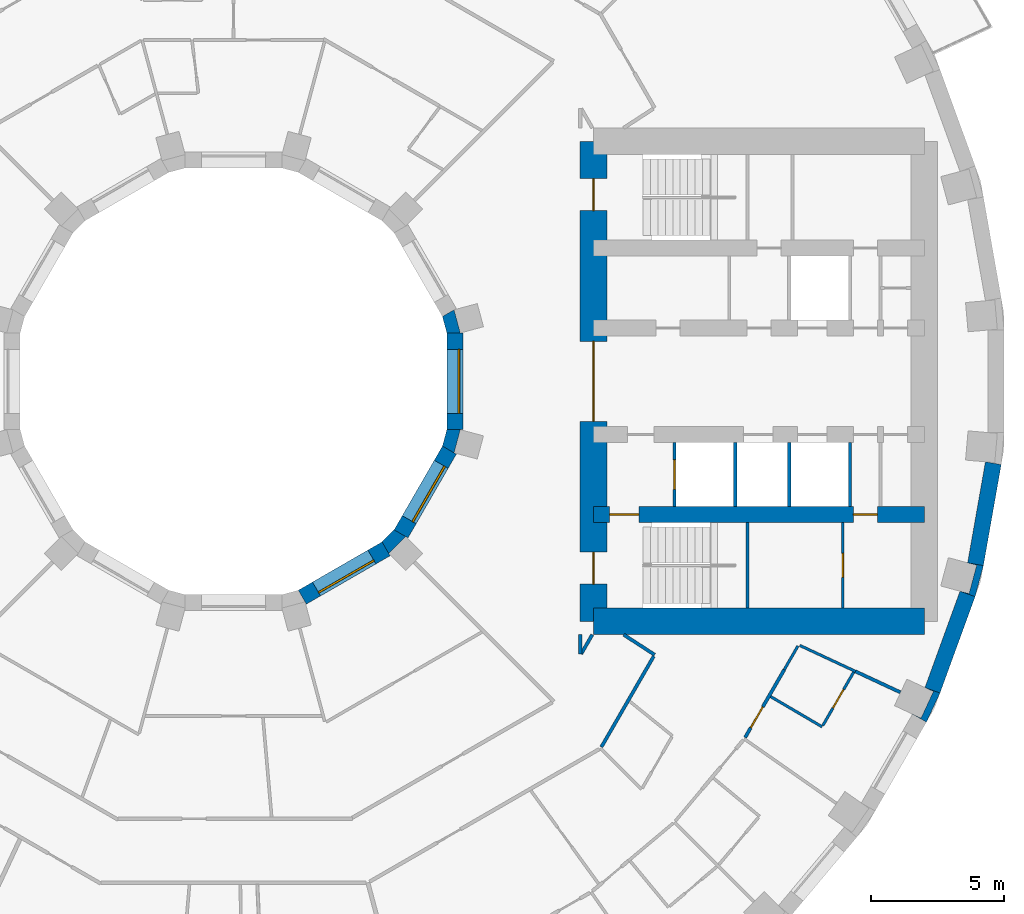
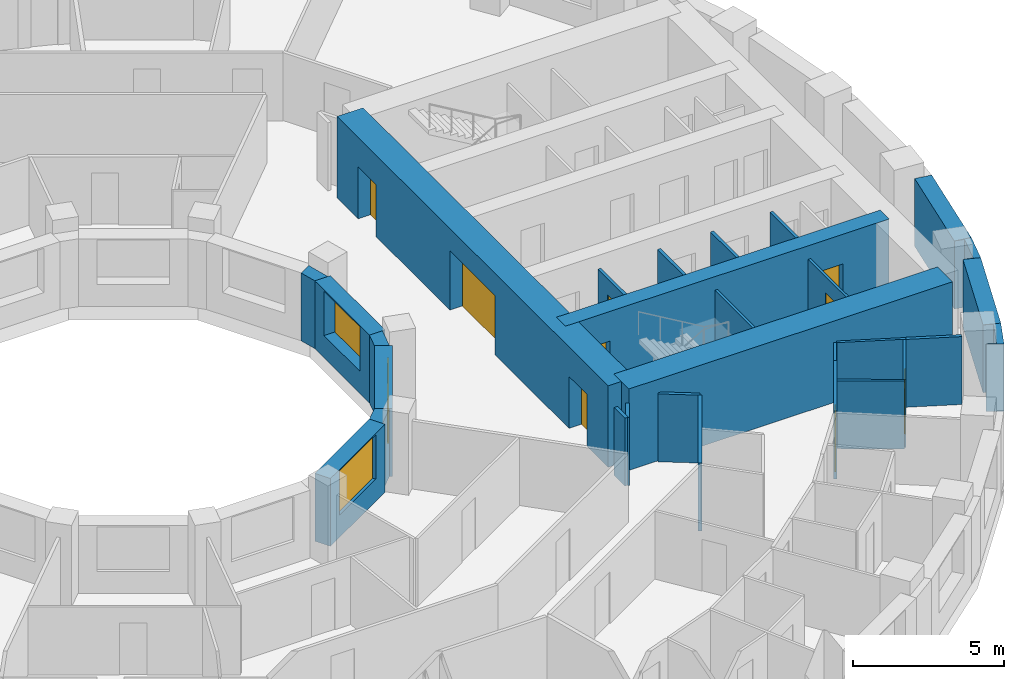
# One storey, part 8 of 15: 29 walls, 9 doors, 3 windows, 12 openings.
"""IFC4 building model written with IfcOpenShell, lengths in metres."""

from ifc_helpers import new_model, si_unit, direction, frame, frame_2d, origin, place, context, subcontext, project, spatial, polyline, rectangle, outline, extrude, material, layer, layer_set, type_object, element, fill, save


model = new_model("IFC4")

# Units and contexts
model_context = context("Model", 3, precision=1e-05, world=origin(), true_north=direction((0.0, 1.0)))
body_context = subcontext(model_context, "Body", "Model", "MODEL_VIEW")
ifc_project = project(units=[si_unit("LENGTHUNIT", "METRE"), si_unit("AREAUNIT", "SQUARE_METRE"), si_unit("VOLUMEUNIT", "CUBIC_METRE"), si_unit("PLANEANGLEUNIT", "RADIAN"), si_unit("MASSUNIT", "GRAM", prefix="KILO")], contexts=[model_context])

# Site, building, storey
site_placement = place(None, origin())
site = spatial("IfcSite", under=ifc_project, at=site_placement, CompositionType="ELEMENT")
building_placement = place(site_placement, origin())
building = spatial("IfcBuilding", under=site, at=building_placement, Name="Saqina Gate Tower", CompositionType="ELEMENT")
storey_placement = place(building_placement, frame((0.0, 0.0, 65.89990234375)))
storey = spatial("IfcBuildingStorey", under=building, at=storey_placement, Name="L18", CompositionType="ELEMENT", Elevation=65.89990234375)

# Walls
ifc_material_1 = material(Name="Brick masonry (red)", Category="masonry")
wall_type_1 = type_object("IfcWallType", Name="BRICK PIER COPING RED", PredefinedType="SOLIDWALL", material=ifc_material_1)
wall_1_placement = place(storey_placement, origin())
element("IfcWall", 1, at=wall_1_placement, inside=storey, type_object=wall_type_1, Name="Pier cap L18 column 34", PredefinedType="SOLIDWALL", context=body_context, shape_type="SweptSolid", body=[
    extrude(outline(polyline([(26.48974609375, -11.687744140625), (25.92578125, -11.482666015625), (26.243408203125, -11.630615234375), (25.778564453125, -12.627685546875), (25.4609375, -12.4794921875), (25.980712890625, -12.779541015625), (26.48974609375, -11.687744140625)])), origin(), (0.0, 0.0, 1.0), 2.75),
])
wall_2_placement = place(storey_placement, origin())
element("IfcWall", 2, at=wall_2_placement, inside=storey, type_object=wall_type_1, Name="Pier cap L18 column 35", PredefinedType="SOLIDWALL", context=body_context, shape_type="SweptSolid", body=[
    extrude(outline(polyline([(28.11669921875, -6.910400390625), (27.52587890625, -6.80615234375), (27.864501953125, -6.896728515625), (27.57958984375, -7.95947265625), (27.2412109375, -7.86865234375), (27.80517578125, -8.073974609375), (28.11669921875, -6.910400390625)])), origin(), (0.0, 0.0, 1.0), 2.75),
])

# Wall, opening, door
ifc_material_2 = material(Name="Gypsum board on steel studs", Category="steel")
ifc_layer_1 = layer(ifc_material_2, 0.10009765625)
ifc_layer_set_1 = layer_set([ifc_layer_1], Name="CORE PARTITION")
wall_type_2 = type_object("IfcWallType", Name="CORE PARTITION", PredefinedType="PARTITIONING", material=ifc_layer_set_1)
wall_3_placement = place(storey_placement, frame((22.846435546875, -8.5, 0.0), z_axis=(0.0, 0.0, 1.0), x_axis=(0.0, 1.0, 0.0)))
wall_3 = element("IfcWall", 3, at=wall_3_placement, inside=storey, type_object=wall_type_2, Name="L18-CP-E14", PredefinedType="PARTITIONING", context=body_context, shape_type="SweptSolid", body=[
    extrude(rectangle(XDim=3.199951171875, YDim=0.10009765625, at=frame_2d((1.60009765625, 0.0))), origin(), (0.0, 0.0, 1.0), 2.75),
])
opening_1_placement = place(wall_3_placement, frame((1.14990234375, 0.0, 0.0)))
opening_1 = element("IfcOpeningElement", 4, at=opening_1_placement, cuts=wall_3, Name="Opening G05-D100", PredefinedType="OPENING", context=body_context, shape_type="SweptSolid", body=[
    extrude(rectangle(XDim=0.89990234375, YDim=2.10009765625, at=frame_2d((0.449951171875, 1.050048828125))), frame((0.0, 0.06201171875, 0.0), z_axis=(0.0, -1.0, 0.0), x_axis=(1.0, 0.0, 0.0)), (0.0, 0.0, 1.0), 0.1240234375),
])
ifc_material_3 = material(Name="Steel-framed fire door leaf, EI 60", Category="steel")
door_type_1 = type_object("IfcDoorType", Name="SERVICE ROOM DOOR 900", OperationType="SINGLE_SWING_LEFT", PredefinedType="DOOR", material=ifc_material_3)
door_1_placement = place(opening_1_placement, origin())
door_1 = element("IfcDoor", 5, at=door_1_placement, inside=storey, type_object=door_type_1, Name="L18-CD-E11", OperationType="SINGLE_SWING_LEFT", OverallHeight=2.10009765625, OverallWidth=0.89990234375, PredefinedType="DOOR", context=body_context, shape_type="SweptSolid", body=[
    extrude(rectangle(XDim=0.89990234375, YDim=2.10009765625, at=frame_2d((0.449951171875, 1.050048828125))), frame((0.0, 0.02490234375, 0.0), z_axis=(0.0, -1.0, 0.0), x_axis=(1.0, 0.0, 0.0)), (0.0, 0.0, 1.0), 0.050048828125),
])
fill(opening_1, door_1)

# Walls
ifc_material_4 = material(Name="Glazed ceramic tile", Category="ceramic")
ifc_layer_2 = layer(ifc_material_4, 0.60009765625)
ifc_layer_set_2 = layer_set([ifc_layer_2], Name="FW-TILE")
wall_type_3 = type_object("IfcWallType", Name="FW-TILE", PredefinedType="SOLIDWALL", material=ifc_layer_set_2)
wall_4_placement = place(storey_placement, frame((27.8212890625, -6.858154296875, 0.0), z_axis=(0.0, 0.0, 1.0), x_axis=(0.173687553279, 0.984800809218, 0.0)))
element("IfcWall", 6, at=wall_4_placement, inside=storey, type_object=wall_type_3, Name="Facade wall L18 facet 35", PredefinedType="SOLIDWALL", context=body_context, shape_type="SweptSolid", body=[
    extrude(rectangle(XDim=3.845703125, YDim=0.60009765625, at=frame_2d((1.9228515625, 0.0))), origin(), (0.0, 0.0, 1.0), 2.75),
])
ifc_material_5 = material(Name="Glazed ceramic tile (white)", Category="ceramic")
ifc_layer_3 = layer(ifc_material_5, 0.60009765625)
ifc_layer_set_3 = layer_set([ifc_layer_3], Name="FW-TILE-WH")
wall_type_4 = type_object("IfcWallType", Name="FW-TILE-WH", PredefinedType="SOLIDWALL", material=ifc_layer_set_3)
wall_5_placement = place(storey_placement, frame((26.207763671875, -11.585205078125, 0.0), z_axis=(0.0, 0.0, 1.0), x_axis=(0.342028474173, 0.939689588564, 0.0)))
element("IfcWall", 7, at=wall_5_placement, inside=storey, type_object=wall_type_4, Name="Facade wall L18 facet 34", PredefinedType="SOLIDWALL", context=body_context, shape_type="SweptSolid", body=[
    extrude(rectangle(XDim=3.845947265625, YDim=0.60009765625, at=frame_2d((1.9228515625, 0.0))), origin(), (0.0, 0.0, 1.0), 2.75),
])

# Wall, opening, window
ifc_material_6 = material(Name="Glazed ceramic tile", Category="ceramic")
ifc_layer_4 = layer(ifc_material_6, 0.60009765625)
ifc_layer_set_4 = layer_set([ifc_layer_4], Name="IW-TILE")
wall_type_5 = type_object("IfcWallType", Name="IW-TILE", PredefinedType="SOLIDWALL", material=ifc_layer_set_4)
wall_6_placement = place(storey_placement, frame((2.580322265625, -8.09423828125, 0.0), z_axis=(0.0, 0.0, 1.0), x_axis=(0.866029693906, 0.499992569217, 0.0)))
wall_6 = element("IfcWall", 8, at=wall_6_placement, inside=storey, type_object=wall_type_5, Name="Well wall L18 facet 10", PredefinedType="SOLIDWALL", context=body_context, shape_type="SweptSolid", body=[
    extrude(rectangle(XDim=3.625, YDim=0.60009765625, at=frame_2d((1.8125, 0.0))), origin(), (0.0, 0.0, 1.0), 2.75),
])
opening_2_placement = place(wall_6_placement, frame((0.612548828125, 0.0, 0.89990234375)))
opening_2 = element("IfcOpeningElement", 9, at=opening_2_placement, cuts=wall_6, Name="Opening G05-W32", PredefinedType="OPENING", context=body_context, shape_type="SweptSolid", body=[
    extrude(rectangle(XDim=2.39990234375, YDim=1.800048828125, at=frame_2d((1.199951171875, 0.89990234375))), frame((0.0, 0.31201171875, 0.0), z_axis=(0.0, -1.0, 0.0), x_axis=(1.0, 0.0, 0.0)), (0.0, 0.0, 1.0), 0.6240234375),
])
ifc_material_7 = material(Name="Aluminium glazing", Category="aluminium")
window_type = type_object("IfcWindowType", Name="WN-W", PartitioningType="SINGLE_PANEL", PredefinedType="WINDOW", material=ifc_material_7)
window_1_placement = place(opening_2_placement, origin())
window_1 = element("IfcWindow", 10, at=window_1_placement, inside=storey, type_object=window_type, Name="Well window L18 facet 10", OverallHeight=1.800048828125, OverallWidth=2.39990234375, PartitioningType="SINGLE_PANEL", PredefinedType="WINDOW", context=body_context, shape_type="SweptSolid", body=[
    extrude(rectangle(XDim=2.39990234375, YDim=1.800048828125, at=frame_2d((1.199951171875, 0.89990234375))), frame((0.0, -0.119873046875, 0.0), z_axis=(0.0, -1.0, 0.0), x_axis=(1.0, 0.0, 0.0)), (0.0, 0.0, 1.0), 0.06005859375),
])
fill(opening_2, window_1)

wall_7_placement = place(storey_placement, frame((6.28173828125, -5.7197265625, 0.0), z_axis=(0.0, 0.0, 1.0), x_axis=(0.499992569217, 0.866029693906, 0.0)))
wall_7 = element("IfcWall", 11, at=wall_7_placement, inside=storey, type_object=wall_type_5, Name="Well wall L18 facet 11", PredefinedType="SOLIDWALL", context=body_context, shape_type="SweptSolid", body=[
    extrude(rectangle(XDim=3.625, YDim=0.60009765625, at=frame_2d((1.8125, 0.0))), origin(), (0.0, 0.0, 1.0), 2.75),
])
opening_3_placement = place(wall_7_placement, frame((0.612548828125, 0.0, 0.89990234375)))
opening_3 = element("IfcOpeningElement", 12, at=opening_3_placement, cuts=wall_7, Name="Opening G05-W33", PredefinedType="OPENING", context=body_context, shape_type="SweptSolid", body=[
    extrude(rectangle(XDim=2.39990234375, YDim=1.800048828125, at=frame_2d((1.199951171875, 0.89990234375))), frame((0.0, 0.31201171875, 0.0), z_axis=(0.0, -1.0, 0.0), x_axis=(1.0, 0.0, 0.0)), (0.0, 0.0, 1.0), 0.6240234375),
])
window_2_placement = place(opening_3_placement, origin())
window_2 = element("IfcWindow", 13, at=window_2_placement, inside=storey, type_object=window_type, Name="Well window L18 facet 11", OverallHeight=1.800048828125, OverallWidth=2.39990234375, PartitioningType="SINGLE_PANEL", PredefinedType="WINDOW", context=body_context, shape_type="SweptSolid", body=[
    extrude(rectangle(XDim=2.39990234375, YDim=1.800048828125, at=frame_2d((1.199951171875, 0.89990234375))), frame((0.0, -0.119873046875, 0.0), z_axis=(0.0, -1.0, 0.0), x_axis=(1.0, 0.0, 0.0)), (0.0, 0.0, 1.0), 0.06005859375),
])
fill(opening_3, window_2)

wall_8_placement = place(storey_placement, frame((8.300048828125, -1.8125, 0.0), z_axis=(0.0, 0.0, 1.0), x_axis=(0.0, 1.0, 0.0)))
wall_8 = element("IfcWall", 14, at=wall_8_placement, inside=storey, type_object=wall_type_5, Name="Well wall L18 facet 12", PredefinedType="SOLIDWALL", context=body_context, shape_type="SweptSolid", body=[
    extrude(rectangle(XDim=3.625, YDim=0.60009765625, at=frame_2d((1.8125, 0.0))), origin(), (0.0, 0.0, 1.0), 2.75),
])
opening_4_placement = place(wall_8_placement, frame((0.612548828125, 0.0, 0.89990234375)))
opening_4 = element("IfcOpeningElement", 15, at=opening_4_placement, cuts=wall_8, Name="Opening G05-W34", PredefinedType="OPENING", context=body_context, shape_type="SweptSolid", body=[
    extrude(rectangle(XDim=2.39990234375, YDim=1.800048828125, at=frame_2d((1.199951171875, 0.89990234375))), frame((0.0, 0.31201171875, 0.0), z_axis=(0.0, -1.0, 0.0), x_axis=(1.0, 0.0, 0.0)), (0.0, 0.0, 1.0), 0.6240234375),
])
window_3_placement = place(opening_4_placement, origin())
window_3 = element("IfcWindow", 16, at=window_3_placement, inside=storey, type_object=window_type, Name="Well window L18 facet 12", OverallHeight=1.800048828125, OverallWidth=2.39990234375, PartitioningType="SINGLE_PANEL", PredefinedType="WINDOW", context=body_context, shape_type="SweptSolid", body=[
    extrude(rectangle(XDim=2.39990234375, YDim=1.800048828125, at=frame_2d((1.199951171875, 0.89990234375))), frame((0.0, -0.119873046875, 0.0), z_axis=(0.0, -1.0, 0.0), x_axis=(1.0, 0.0, 0.0)), (0.0, 0.0, 1.0), 0.06005859375),
])
fill(opening_4, window_3)

# Walls
ifc_material_8 = material(Name="Gypsum board on steel studs, 100 mm", Category="steel")
ifc_layer_5 = layer(ifc_material_8, 0.10009765625)
ifc_layer_set_5 = layer_set([ifc_layer_5], Name="PARTITION 100")
wall_type_6 = type_object("IfcWallType", Name="PARTITION 100", PredefinedType="PARTITIONING", material=ifc_layer_set_5)
wall_9_placement = place(storey_placement, frame((20.139892578125, -11.821533203125, 0.0), z_axis=(0.0, 0.0, 1.0), x_axis=(0.862374352329, -0.506271149134, 0.0)))
element("IfcWall", 17, at=wall_9_placement, inside=storey, type_object=wall_type_6, Name="PARTITION PW3-42", PredefinedType="PARTITIONING", context=body_context, shape_type="SweptSolid", body=[
    extrude(rectangle(XDim=2.237060546875, YDim=0.10009765625, at=frame_2d((1.11865234375, 0.0))), origin(), (0.0, 0.0, 1.0), 2.75),
])
wall_10_placement = place(storey_placement, frame((21.232421875, -9.903076171875, 0.0), z_axis=(0.0, 0.0, 1.0), x_axis=(0.906274952778, -0.422688667896, 0.0)))
element("IfcWall", 18, at=wall_10_placement, inside=storey, type_object=wall_type_6, Name="PARTITION PW3-49", PredefinedType="PARTITIONING", context=body_context, shape_type="SweptSolid", body=[
    extrude(rectangle(XDim=2.30908203125, YDim=0.10009765625, at=frame_2d((1.154541015625, 0.0))), origin(), (0.0, 0.0, 1.0), 2.75),
])

# Wall, opening, door
wall_11_placement = place(storey_placement, frame((22.093994140625, -12.91064453125, 0.0), z_axis=(0.0, 0.0, 1.0), x_axis=(0.500223263977, 0.865896463889, 0.0)))
wall_11 = element("IfcWall", 19, at=wall_11_placement, inside=storey, type_object=wall_type_6, Name="PARTITION PW3-96", PredefinedType="PARTITIONING", context=body_context, shape_type="SweptSolid", body=[
    extrude(rectangle(XDim=2.32080078125, YDim=0.10009765625, at=frame_2d((1.160400390625, 0.0))), origin(), (0.0, 0.0, 1.0), 2.75),
])
opening_5_placement = place(wall_11_placement, frame((0.761474609375, 0.0, 0.0)))
opening_5 = element("IfcOpeningElement", 20, at=opening_5_placement, cuts=wall_11, Name="Opening G05-D68", PredefinedType="OPENING", context=body_context, shape_type="SweptSolid", body=[
    extrude(rectangle(XDim=0.800048828125, YDim=2.10009765625, at=frame_2d((0.39990234375, 1.050048828125))), frame((0.0, 0.06201171875, 0.0), z_axis=(0.0, -1.0, 0.0), x_axis=(1.0, 0.0, 0.0)), (0.0, 0.0, 1.0), 0.1240234375),
])
ifc_material_9 = material(Name="Timber door leaf, 800 mm", Category="wood")
door_type_2 = type_object("IfcDoorType", Name="DOOR 800 TIMBER", OperationType="SINGLE_SWING_LEFT", PredefinedType="DOOR", material=ifc_material_9)
door_2_placement = place(opening_5_placement, frame((0.800048828125, 0.0, 0.0), z_axis=(0.0, 0.0, 1.0), x_axis=(-1.0, 0.0, 0.0)))
door_2 = element("IfcDoor", 21, at=door_2_placement, inside=storey, type_object=door_type_2, Name="DOOR G05-D68", OperationType="SINGLE_SWING_LEFT", OverallHeight=2.10009765625, OverallWidth=0.800048828125, PredefinedType="DOOR", context=body_context, shape_type="SweptSolid", body=[
    extrude(rectangle(XDim=0.800048828125, YDim=2.10009765625, at=frame_2d((0.39990234375, 1.050048828125))), frame((0.0, 0.02490234375, 0.0), z_axis=(0.0, -1.0, 0.0), x_axis=(1.0, 0.0, 0.0)), (0.0, 0.0, 1.0), 0.050048828125),
])
fill(opening_5, door_2)

# Walls
wall_12_placement = place(storey_placement, frame((20.646484375, -10.818603515625, 0.0), z_axis=(0.0, 0.0, 1.0), x_axis=(0.499797427156, 0.866142327685, 0.0)))
element("IfcWall", 22, at=wall_12_placement, inside=storey, type_object=wall_type_6, Name="PARTITION PW3-97", PredefinedType="PARTITIONING", context=body_context, shape_type="SweptSolid", body=[
    extrude(rectangle(XDim=1.03369140625, YDim=0.10009765625, at=frame_2d((0.516845703125, 0.0))), origin(), (0.0, 0.0, 1.0), 2.75),
])
ifc_material_10 = material(Name="Gypsum board on steel studs, 125 mm, fire rated", Category="steel")
ifc_layer_6 = layer(ifc_material_10, 0.125)
ifc_layer_set_6 = layer_set([ifc_layer_6], Name="PARTITION EI 30 125")
wall_type_7 = type_object("IfcWallType", Name="PARTITION EI 30 125", PredefinedType="PARTITIONING", material=ifc_layer_set_6)
wall_13_placement = place(storey_placement, frame((14.62890625, -9.5, 0.0), z_axis=(0.0, 0.0, 1.0), x_axis=(0.838830573332, -0.544392569056, 0.0)))
element("IfcWall", 23, at=wall_13_placement, inside=storey, type_object=wall_type_7, Name="PARTITION PW1-08", PredefinedType="PARTITIONING", context=body_context, shape_type="SweptSolid", body=[
    extrude(rectangle(XDim=1.383056640625, YDim=0.125, at=frame_2d((0.69140625, 0.0))), origin(), (0.0, 0.0, 1.0), 2.75),
])
wall_14_placement = place(storey_placement, frame((23.3251953125, -10.879150390625, 0.0), z_axis=(0.0, 0.0, 1.0), x_axis=(0.906348054162, -0.422531897869, 0.0)))
element("IfcWall", 24, at=wall_14_placement, inside=storey, type_object=wall_type_7, Name="PARTITION PW1-15", PredefinedType="PARTITIONING", context=body_context, shape_type="SweptSolid", body=[
    extrude(rectangle(XDim=1.8525390625, YDim=0.125, at=frame_2d((0.92626953125, 0.0))), origin(), (0.0, 0.0, 1.0), 2.75),
])

# Wall, opening, door
wall_15_placement = place(storey_placement, frame((19.182373046875, -13.35498046875, 0.0), z_axis=(0.0, 0.0, 1.0), x_axis=(0.500092867575, 0.865971780025, 0.0)))
wall_15 = element("IfcWall", 25, at=wall_15_placement, inside=storey, type_object=wall_type_7, Name="PARTITION PW1-46", PredefinedType="PARTITIONING", context=body_context, shape_type="SweptSolid", body=[
    extrude(rectangle(XDim=2.9287109375, YDim=0.125, at=frame_2d((1.46435546875, 0.0))), origin(), (0.0, 0.0, 1.0), 2.75),
])
opening_6_placement = place(wall_15_placement, frame((0.42236328125, 0.0, 0.0)))
opening_6 = element("IfcOpeningElement", 26, at=opening_6_placement, cuts=wall_15, Name="Opening G05-D67", PredefinedType="OPENING", context=body_context, shape_type="SweptSolid", body=[
    extrude(rectangle(XDim=0.89990234375, YDim=2.10009765625, at=frame_2d((0.449951171875, 1.050048828125))), frame((0.0, 0.074462890625, 0.0), z_axis=(0.0, -1.0, 0.0), x_axis=(1.0, 0.0, 0.0)), (0.0, 0.0, 1.0), 0.14892578125),
])
ifc_material_11 = material(Name="Fire door leaf EI 30, 900 mm")
door_type_3 = type_object("IfcDoorType", Name="DOOR 900 EI 30", OperationType="SINGLE_SWING_LEFT", PredefinedType="DOOR", material=ifc_material_11)
door_3_placement = place(opening_6_placement, origin())
door_3 = element("IfcDoor", 27, at=door_3_placement, inside=storey, type_object=door_type_3, Name="DOOR G05-D67", OperationType="SINGLE_SWING_LEFT", OverallHeight=2.10009765625, OverallWidth=0.89990234375, PredefinedType="DOOR", context=body_context, shape_type="SweptSolid", body=[
    extrude(rectangle(XDim=0.89990234375, YDim=2.10009765625, at=frame_2d((0.449951171875, 1.050048828125))), frame((0.0, 0.02490234375, 0.0), z_axis=(0.0, -1.0, 0.0), x_axis=(1.0, 0.0, 0.0)), (0.0, 0.0, 1.0), 0.050048828125),
])
fill(opening_6, door_3)

# Walls
wall_16_placement = place(storey_placement, frame((13.794189453125, -13.708984375, 0.0), z_axis=(0.0, 0.0, 1.0), x_axis=(0.499916150712, 0.866073808781, 0.0)))
element("IfcWall", 28, at=wall_16_placement, inside=storey, type_object=wall_type_7, Name="PARTITION PW1-47", PredefinedType="PARTITIONING", context=body_context, shape_type="SweptSolid", body=[
    extrude(rectangle(XDim=3.927978515625, YDim=0.125, at=frame_2d((1.9638671875, 0.0))), origin(), (0.0, 0.0, 1.0), 2.75),
])
wall_17_placement = place(storey_placement, frame((13.034912109375, -10.222412109375, 0.0), z_axis=(0.0, 0.0, 1.0), x_axis=(0.49991670217, 0.866073490468, 0.0)))
element("IfcWall", 29, at=wall_17_placement, inside=storey, type_object=wall_type_7, Name="PARTITION PW1-48", PredefinedType="PARTITIONING", context=body_context, shape_type="SweptSolid", body=[
    extrude(rectangle(XDim=0.834228515625, YDim=0.125, at=frame_2d((0.4169921875, 0.0))), origin(), (0.0, 0.0, 1.0), 2.75),
])
wall_18_placement = place(storey_placement, frame((13.0, -10.220458984375, 0.0), z_axis=(0.0, 0.0, 1.0), x_axis=(0.0, 1.0, 0.0)))
element("IfcWall", 30, at=wall_18_placement, inside=storey, type_object=wall_type_7, Name="PARTITION PW1-53", PredefinedType="PARTITIONING", context=body_context, shape_type="SweptSolid", body=[
    extrude(rectangle(XDim=0.720458984375, YDim=0.125, at=frame_2d((0.3603515625, 0.0))), origin(), (0.0, 0.0, 1.0), 2.75),
])

# Wall, opening, door
ifc_material_12 = material(Name="Autoclaved aerated concrete block", Category="concrete")
ifc_layer_7 = layer(ifc_material_12, 0.1201171875)
ifc_layer_set_7 = layer_set([ifc_layer_7], Name="SHAFT PARTITION")
wall_type_8 = type_object("IfcWallType", Name="SHAFT PARTITION", PredefinedType="PARTITIONING", material=ifc_layer_set_7)
wall_19_placement = place(storey_placement, frame((16.530029296875, -4.699951171875, 0.0), z_axis=(0.0, 0.0, 1.0), x_axis=(0.0, 1.0, 0.0)))
wall_19 = element("IfcWall", 31, at=wall_19_placement, inside=storey, type_object=wall_type_8, Name="L18-CP-E05", PredefinedType="PARTITIONING", context=body_context, shape_type="SweptSolid", body=[
    extrude(rectangle(XDim=2.39990234375, YDim=0.1201171875, at=frame_2d((1.199951171875, 0.0))), origin(), (0.0, 0.0, 1.0), 2.75),
])
opening_7_placement = place(wall_19_placement, frame((0.64990234375, 0.0, 0.0)))
opening_7 = element("IfcOpeningElement", 32, at=opening_7_placement, cuts=wall_19, Name="Opening G05-LD2", PredefinedType="OPENING", context=body_context, shape_type="SweptSolid", body=[
    extrude(rectangle(XDim=1.10009765625, YDim=2.10009765625, at=frame_2d((0.550048828125, 1.050048828125))), frame((0.0, 0.072021484375, 0.0), z_axis=(0.0, -1.0, 0.0), x_axis=(1.0, 0.0, 0.0)), (0.0, 0.0, 1.0), 0.14404296875),
])
ifc_material_13 = material(Name="Stainless steel", Category="steel")
door_type_4 = type_object("IfcDoorType", Name="LANDING DOOR", OperationType="DOUBLE_DOOR_SLIDING", PredefinedType="DOOR", material=ifc_material_13)
door_4_placement = place(opening_7_placement, origin())
door_4 = element("IfcDoor", 33, at=door_4_placement, inside=storey, type_object=door_type_4, Name="LANDING DOOR FF1", OperationType="DOUBLE_DOOR_SLIDING", OverallHeight=2.10009765625, OverallWidth=1.10009765625, PredefinedType="DOOR", context=body_context, shape_type="SweptSolid", body=[
    extrude(rectangle(XDim=1.10009765625, YDim=2.10009765625, at=frame_2d((0.550048828125, 1.050048828125))), frame((0.0, 0.02490234375, 0.0), z_axis=(0.0, -1.0, 0.0), x_axis=(1.0, 0.0, 0.0)), (0.0, 0.0, 1.0), 0.050048828125),
])
fill(opening_7, door_4)

# Walls
for number, where, z_axis, x_axis, name in (
    (34, (18.81005859375, -4.699951171875, 0.0), (0.0, 0.0, 1.0), (0.0, 1.0, 0.0), "L18-CP-E06"),
    (35, (20.840087890625, -4.699951171875, 0.0), (0.0, 0.0, 1.0), (0.0, 1.0, 0.0), "L18-CP-E07"),
    (36, (23.1201171875, -4.699951171875, 0.0), (0.0, 0.0, 1.0), (0.0, 1.0, 0.0), "L18-CP-E08"),
):
    element("IfcWall", number, at=place(storey_placement, frame(where, z_axis=z_axis, x_axis=x_axis)), inside=storey, type_object=wall_type_8, Name=name, PredefinedType="PARTITIONING", context=body_context, shape_type="SweptSolid", body=[
        extrude(rectangle(XDim=2.39990234375, YDim=0.1201171875, at=frame_2d((1.199951171875, 0.0))), origin(), (0.0, 0.0, 1.0), 2.75),
    ])
ifc_material_14 = material(Name="Autoclaved aerated concrete block", Category="concrete")
ifc_layer_8 = layer(ifc_material_14, 0.10009765625)
ifc_layer_set_8 = layer_set([ifc_layer_8], Name="STAIR ENCLOSURE WALL")
wall_type_9 = type_object("IfcWallType", Name="STAIR ENCLOSURE WALL", PredefinedType="PARTITIONING", material=ifc_layer_set_8)
wall_20_placement = place(storey_placement, frame((19.27001953125, -8.5, 0.0), z_axis=(0.0, 0.0, 1.0), x_axis=(0.0, 1.0, 0.0)))
element("IfcWall", 37, at=wall_20_placement, inside=storey, type_object=wall_type_9, Name="L18-CP-E13", PredefinedType="PARTITIONING", context=body_context, shape_type="SweptSolid", body=[
    extrude(rectangle(XDim=3.199951171875, YDim=0.10009765625, at=frame_2d((1.60009765625, 0.0))), origin(), (0.0, 0.0, 1.0), 2.75),
])

# Wall, openings, doors
ifc_material_15 = material(Name="Concrete C70/85", Category="concrete")
ifc_layer_9 = layer(ifc_material_15, 0.60009765625)
ifc_layer_set_9 = layer_set([ifc_layer_9], Name="Concrete C70/85")
wall_type_10 = type_object("IfcWallType", Name="STR-CORE WALL-A-I", PredefinedType="SHEAR", material=ifc_layer_set_9)
wall_21_placement = place(storey_placement, frame((13.5, -5.0, 0.0), z_axis=(0.0, 0.0, 1.0), x_axis=(1.0, 0.0, 0.0)))
wall_21 = element("IfcWall", 38, at=wall_21_placement, inside=storey, type_object=wall_type_10, Name="CORE WALL L18 E-X2", PredefinedType="SHEAR", context=body_context, shape_type="SweptSolid", body=[
    extrude(rectangle(XDim=12.39990234375, YDim=0.60009765625, at=frame_2d((6.199951171875, 0.0))), origin(), (0.0, 0.0, 1.0), 3.300048828125),
])
opening_8_placement = place(wall_21_placement, frame((9.739990234375, 0.0, 0.0)))
opening_8 = element("IfcOpeningElement", 39, at=opening_8_placement, cuts=wall_21, Name="Opening G05-D101", PredefinedType="OPENING", context=body_context, shape_type="SweptSolid", body=[
    extrude(rectangle(XDim=0.89990234375, YDim=2.10009765625, at=frame_2d((0.449951171875, 1.050048828125))), frame((0.0, 0.31201171875, 0.0), z_axis=(0.0, -1.0, 0.0), x_axis=(1.0, 0.0, 0.0)), (0.0, 0.0, 1.0), 0.6240234375),
])
opening_9_placement = place(wall_21_placement, frame((0.60009765625, 0.0, 0.0)))
opening_9 = element("IfcOpeningElement", 40, at=opening_9_placement, cuts=wall_21, Name="Opening G05-D102", PredefinedType="OPENING", context=body_context, shape_type="SweptSolid", body=[
    extrude(rectangle(XDim=1.10009765625, YDim=2.10009765625, at=frame_2d((0.550048828125, 1.050048828125))), frame((0.0, 0.31201171875, 0.0), z_axis=(0.0, -1.0, 0.0), x_axis=(1.0, 0.0, 0.0)), (0.0, 0.0, 1.0), 0.6240234375),
])
ifc_material_16 = material(Name="Steel", Category="steel")
door_type_5 = type_object("IfcDoorType", Name="FIRE LOBBY DOOR EI 60 WIDE", OperationType="SINGLE_SWING_LEFT", PredefinedType="DOOR", material=ifc_material_16)
door_5_placement = place(opening_9_placement, frame((1.10009765625, 0.0, 0.0), z_axis=(0.0, 0.0, 1.0), x_axis=(-1.0, 0.0, 0.0)))
door_5 = element("IfcDoor", 41, at=door_5_placement, inside=storey, type_object=door_type_5, Name="L18-CD-E13", OperationType="SINGLE_SWING_RIGHT", OverallHeight=2.10009765625, OverallWidth=1.10009765625, PredefinedType="DOOR", context=body_context, shape_type="SweptSolid", body=[
    extrude(rectangle(XDim=1.10009765625, YDim=2.10009765625, at=frame_2d((0.550048828125, 1.050048828125))), frame((0.0, 0.02490234375, 0.0), z_axis=(0.0, -1.0, 0.0), x_axis=(1.0, 0.0, 0.0)), (0.0, 0.0, 1.0), 0.050048828125),
])
fill(opening_9, door_5)
door_6_placement = place(opening_8_placement, frame((0.89990234375, 0.0, 0.0), z_axis=(0.0, 0.0, 1.0), x_axis=(-1.0, 0.0, 0.0)))
door_6 = element("IfcDoor", 42, at=door_6_placement, inside=storey, type_object=door_type_1, Name="L18-CD-E12", OperationType="SINGLE_SWING_RIGHT", OverallHeight=2.10009765625, OverallWidth=0.89990234375, PredefinedType="DOOR", context=body_context, shape_type="SweptSolid", body=[
    extrude(rectangle(XDim=0.89990234375, YDim=2.10009765625, at=frame_2d((0.449951171875, 1.050048828125))), frame((0.0, 0.02490234375, 0.0), z_axis=(0.0, -1.0, 0.0), x_axis=(1.0, 0.0, 0.0)), (0.0, 0.0, 1.0), 0.050048828125),
])
fill(opening_8, door_6)

ifc_material_17 = material(Name="Concrete C70/85", Category="concrete")
ifc_layer_10 = layer(ifc_material_17, 1.0)
ifc_layer_set_10 = layer_set([ifc_layer_10], Name="Concrete C70/85")
wall_type_11 = type_object("IfcWallType", Name="STR-CORE WALL-A-O", PredefinedType="SHEAR", material=ifc_layer_set_10)
wall_22_placement = place(storey_placement, frame((13.5, -9.0, 0.0), z_axis=(0.0, 0.0, 1.0), x_axis=(0.0, 1.0, 0.0)))
wall_22 = element("IfcWall", 43, at=wall_22_placement, inside=storey, type_object=wall_type_11, Name="CORE WALL L18 E-W1", PredefinedType="SHEAR", context=body_context, shape_type="SweptSolid", body=[
    extrude(rectangle(XDim=18.0, YDim=1.0, at=frame_2d((9.0, 0.0))), origin(), (0.0, 0.0, 1.0), 3.300048828125),
])
opening_10_placement = place(wall_22_placement, frame((15.39990234375, 0.0, 0.0)))
opening_10 = element("IfcOpeningElement", 44, at=opening_10_placement, cuts=wall_22, Name="Opening G05-D103", PredefinedType="OPENING", context=body_context, shape_type="SweptSolid", body=[
    extrude(rectangle(XDim=1.199951171875, YDim=2.10009765625, at=frame_2d((0.60009765625, 1.050048828125))), frame((0.0, 0.511962890625, 0.0), z_axis=(0.0, -1.0, 0.0), x_axis=(1.0, 0.0, 0.0)), (0.0, 0.0, 1.0), 1.02392578125),
])
opening_11_placement = place(wall_22_placement, frame((1.39990234375, 0.0, 0.0)))
opening_11 = element("IfcOpeningElement", 45, at=opening_11_placement, cuts=wall_22, Name="Opening G05-D104", PredefinedType="OPENING", context=body_context, shape_type="SweptSolid", body=[
    extrude(rectangle(XDim=1.199951171875, YDim=2.10009765625, at=frame_2d((0.60009765625, 1.050048828125))), frame((0.0, 0.511962890625, 0.0), z_axis=(0.0, -1.0, 0.0), x_axis=(1.0, 0.0, 0.0)), (0.0, 0.0, 1.0), 1.02392578125),
])
opening_12_placement = place(wall_22_placement, frame((7.5, 0.0, 0.0)))
opening_12 = element("IfcOpeningElement", 46, at=opening_12_placement, cuts=wall_22, Name="Opening G05-D105", PredefinedType="OPENING", context=body_context, shape_type="SweptSolid", body=[
    extrude(rectangle(XDim=3.0, YDim=2.39990234375, at=frame_2d((1.5, 1.199951171875))), frame((0.0, 0.511962890625, 0.0), z_axis=(0.0, -1.0, 0.0), x_axis=(1.0, 0.0, 0.0)), (0.0, 0.0, 1.0), 1.02392578125),
])
ifc_material_18 = material(Name="Steel", Category="steel")
door_type_6 = type_object("IfcDoorType", Name="FIRE DOOR EI 60", OperationType="SINGLE_SWING_LEFT", PredefinedType="DOOR", material=ifc_material_18)
door_7_placement = place(opening_10_placement, frame((1.199951171875, 0.0, 0.0), z_axis=(0.0, 0.0, 1.0), x_axis=(-1.0, 0.0, 0.0)))
door_7 = element("IfcDoor", 47, at=door_7_placement, inside=storey, type_object=door_type_6, Name="L18-CD-E14", OperationType="SINGLE_SWING_LEFT", OverallHeight=2.10009765625, OverallWidth=1.199951171875, PredefinedType="DOOR", context=body_context, shape_type="SweptSolid", body=[
    extrude(rectangle(XDim=1.199951171875, YDim=2.10009765625, at=frame_2d((0.60009765625, 1.050048828125))), frame((0.0, 0.02490234375, 0.0), z_axis=(0.0, -1.0, 0.0), x_axis=(1.0, 0.0, 0.0)), (0.0, 0.0, 1.0), 0.050048828125),
])
fill(opening_10, door_7)
door_8_placement = place(opening_11_placement, frame((1.199951171875, 0.0, 0.0), z_axis=(0.0, 0.0, 1.0), x_axis=(-1.0, 0.0, 0.0)))
door_8 = element("IfcDoor", 48, at=door_8_placement, inside=storey, type_object=door_type_6, Name="L18-CD-E15", OperationType="SINGLE_SWING_RIGHT", OverallHeight=2.10009765625, OverallWidth=1.199951171875, PredefinedType="DOOR", context=body_context, shape_type="SweptSolid", body=[
    extrude(rectangle(XDim=1.199951171875, YDim=2.10009765625, at=frame_2d((0.60009765625, 1.050048828125))), frame((0.0, 0.02490234375, 0.0), z_axis=(0.0, -1.0, 0.0), x_axis=(1.0, 0.0, 0.0)), (0.0, 0.0, 1.0), 0.050048828125),
])
fill(opening_11, door_8)
ifc_material_19 = material(Name="Steel and fire-resisting glass", Category="steel")
door_type_7 = type_object("IfcDoorType", Name="LOBBY SCREEN DOOR", OperationType="DOUBLE_DOOR_SLIDING", PredefinedType="DOOR", material=ifc_material_19)
door_9_placement = place(opening_12_placement, origin())
door_9 = element("IfcDoor", 49, at=door_9_placement, inside=storey, type_object=door_type_7, Name="L18-CD-E16", OperationType="DOUBLE_DOOR_SLIDING", OverallHeight=2.39990234375, OverallWidth=3.0, PredefinedType="DOOR", context=body_context, shape_type="SweptSolid", body=[
    extrude(rectangle(XDim=3.0, YDim=2.39990234375, at=frame_2d((1.5, 1.199951171875))), frame((0.0, 0.02490234375, 0.0), z_axis=(0.0, -1.0, 0.0), x_axis=(1.0, 0.0, 0.0)), (0.0, 0.0, 1.0), 0.050048828125),
])
fill(opening_12, door_9)

# Walls
wall_23_placement = place(storey_placement, frame((13.5, -9.0, 0.0), z_axis=(0.0, 0.0, 1.0), x_axis=(1.0, 0.0, 0.0)))
element("IfcWall", 50, at=wall_23_placement, inside=storey, type_object=wall_type_11, Name="CORE WALL L18 E-SE", PredefinedType="SHEAR", context=body_context, shape_type="SweptSolid", body=[
    extrude(rectangle(XDim=12.39990234375, YDim=1.0, at=frame_2d((6.199951171875, 0.0))), origin(), (0.0, 0.0, 1.0), 3.300048828125),
])
ifc_material_20 = material(Name="Glazed ceramic tile", Category="ceramic")
wall_type_12 = type_object("IfcWallType", Name="TILE PIER COPING", PredefinedType="SOLIDWALL", material=ifc_material_20)
wall_24_placement = place(storey_placement, origin())
element("IfcWall", 51, at=wall_24_placement, inside=storey, type_object=wall_type_12, Name="Well pier cap L18 column 1", PredefinedType="SOLIDWALL", context=body_context, shape_type="SweptSolid", body=[
    extrude(outline(polyline([(8.27001953125, 2.681884765625), (7.83447265625, 2.430419921875), (8.0, 1.8125), (8.502685546875, 1.8125), (8.27001953125, 2.681884765625)])), origin(), (0.0, 0.0, 1.0), 2.75),
])
wall_25_placement = place(storey_placement, origin())
element("IfcWall", 52, at=wall_25_placement, inside=storey, type_object=wall_type_12, Name="Well pier cap L18 column 11", PredefinedType="SOLIDWALL", context=body_context, shape_type="SweptSolid", body=[
    extrude(outline(polyline([(5.821044921875, -6.45751953125), (6.45751953125, -5.821044921875), (6.02197265625, -5.569580078125), (5.569580078125, -6.02197265625), (5.821044921875, -6.45751953125)])), origin(), (0.0, 0.0, 1.0), 2.75),
])
wall_26_placement = place(storey_placement, origin())
element("IfcWall", 53, at=wall_26_placement, inside=storey, type_object=wall_type_12, Name="Well pier cap L18 column 12", PredefinedType="SOLIDWALL", context=body_context, shape_type="SweptSolid", body=[
    extrude(outline(polyline([(8.502685546875, -1.8125), (8.0, -1.8125), (7.83447265625, -2.430419921875), (8.27001953125, -2.681884765625), (8.502685546875, -1.8125)])), origin(), (0.0, 0.0, 1.0), 2.75),
])

save(model, "model.ifc")
